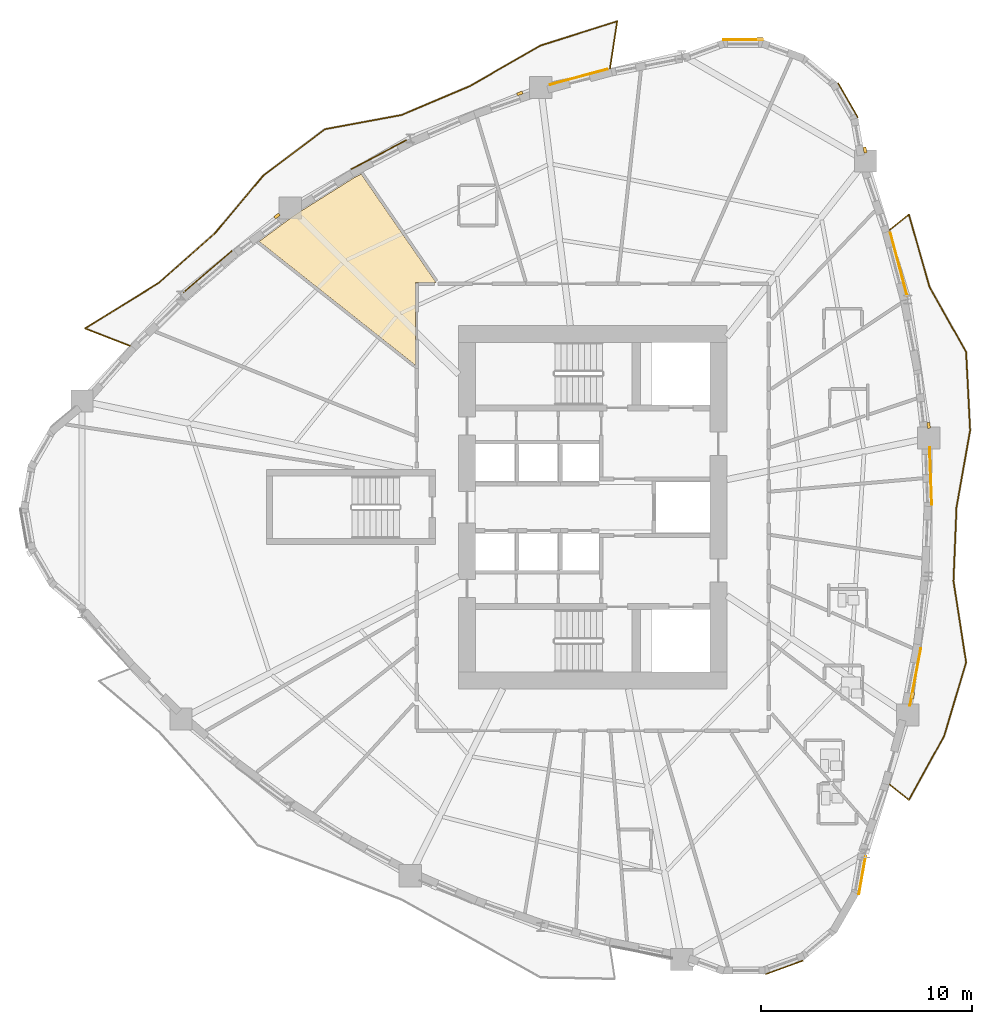
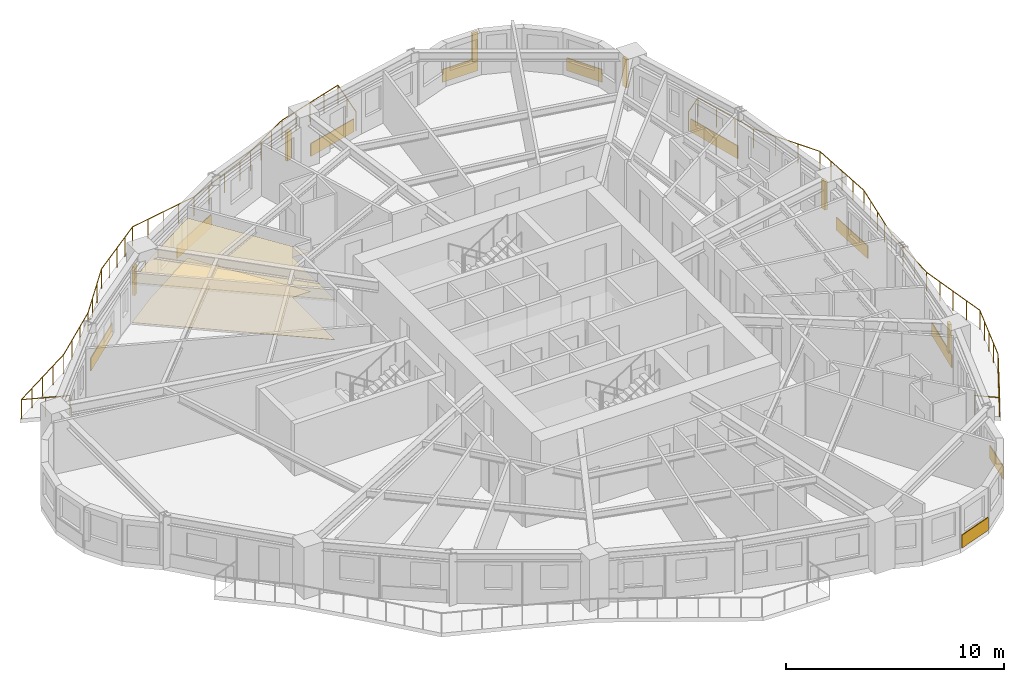
# One storey, part 12 of 13: 12 coverings, 6 shading devices, 2 railings.
"""IFC4 building model written with IfcOpenShell, lengths in metres."""

from ifc_helpers import new_model, si_unit, direction, frame, origin, origin_2d, place, context, subcontext, project, spatial, polyline, rectangle, circle, outline, extrude, source, transform, mapped, material, layer, layer_set, type_object, element, save


model = new_model("IFC4")

# Units and contexts
model_context = context("Model", 3, precision=1e-05, world=origin(), true_north=direction((0.0, 1.0)))
body_context = subcontext(model_context, "Body", "Model", "MODEL_VIEW")
ifc_project = project(units=[si_unit("LENGTHUNIT", "METRE"), si_unit("AREAUNIT", "SQUARE_METRE"), si_unit("VOLUMEUNIT", "CUBIC_METRE"), si_unit("PLANEANGLEUNIT", "RADIAN"), si_unit("MASSUNIT", "GRAM", prefix="KILO")], contexts=[model_context])

# Site, building, storey
site_placement = place(None, origin())
site = spatial("IfcSite", under=ifc_project, at=site_placement, CompositionType="ELEMENT")
building_placement = place(site_placement, origin())
building = spatial("IfcBuilding", under=site, at=building_placement, Name="Qafzar Sky-Pleat Residences", CompositionType="ELEMENT")
storey_placement = place(building_placement, frame((0.0, 0.0, 62.199951171875)))
storey = spatial("IfcBuildingStorey", under=building, at=storey_placement, Name="L18", CompositionType="ELEMENT", Elevation=62.199951171875)

# Coverings
ifc_material_1 = material(Name="Perforated acoustic gypsum board ceiling")
ifc_layer_1 = layer(ifc_material_1, 0.02001953125)
ifc_layer_set_1 = layer_set([ifc_layer_1], Name="Perforated acoustic gypsum board ceiling")
covering_type_1 = type_object("IfcCoveringType", Name="COV-CEIL-ACOUSTIC", PredefinedType="CEILING", material=ifc_layer_set_1)
covering_1_placement = place(storey_placement, frame((0.0, 0.0, 2.239990234375)))
element("IfcCovering", 1, at=covering_1_placement, inside=storey, type_object=covering_type_1, Name="L18 Communal Kitchen Acoustic Ceiling", PredefinedType="CEILING", context=body_context, shape_type="SweptSolid", body=[
    extrude(outline(polyline([(19.01171875, 41.56787109375), (19.388427734375, 41.7666015625), (22.92919921875, 36.639892578125), (21.9599609375, 36.639892578125), (21.9599609375, 32.721435546875), (14.5625, 38.580078125), (16.260986328125, 39.837158203125), (19.01171875, 41.56787109375)])), origin(), (0.0, 0.0, 1.0), 0.02001953125),
])
ifc_material_2 = material(Name="Honed porcelain and Riyadh stone tile flooring", Category="masonry")
ifc_layer_2 = layer(ifc_material_2, 0.02001953125)
ifc_layer_set_2 = layer_set([ifc_layer_2], Name="Honed porcelain and Riyadh stone tile flooring")
covering_type_2 = type_object("IfcCoveringType", Name="COV-FLR-PORCELAIN", PredefinedType="FLOORING", material=ifc_layer_set_2)
covering_2_placement = place(storey_placement, origin())
element("IfcCovering", 2, at=covering_2_placement, inside=storey, type_object=covering_type_2, Name="L18 Communal Kitchen Honed Stone Flooring", PredefinedType="FLOORING", context=body_context, shape_type="SweptSolid", body=[
    extrude(outline(polyline([(19.01171875, 41.56787109375), (19.388427734375, 41.7666015625), (22.92919921875, 36.639892578125), (21.9599609375, 36.639892578125), (21.9599609375, 32.721435546875), (14.5625, 38.580078125), (16.260986328125, 39.837158203125), (19.01171875, 41.56787109375)])), origin(), (0.0, 0.0, 1.0), 0.02001953125),
])

# Shading devices
ifc_material_3 = material(Name="Honed Riyadh limestone solar fin", Category="masonry")
ifc_layer_3 = layer(ifc_material_3, 0.139892578125)
ifc_layer_set_3 = layer_set([ifc_layer_3], Name="Honed Riyadh limestone solar fin")
shading_device_type = type_object("IfcShadingDeviceType", Name="SHD-FIN-STONE", PredefinedType="SHUTTER", material=ifc_layer_set_3)
shared_shape_1 = source(origin(), body_context, "Body", "SweptSolid", [
    extrude(rectangle(XDim=0.139892578125, YDim=0.280029296875, at=origin_2d()), origin(), (0.0, 0.0, 1.0), 1.60009765625),
])
for number, where, z_axis, x_axis, name in (
    (3, (45.49755859375, 17.091796875, 0.60009765625), (0.0, 0.0, 1.0), (0.982424506662, -0.186660356554, 0.0), "L18 Limestone Solar Fin 25"),
    (4, (46.24951171875, 29.873779296875, 0.60009765625), (0.0, 0.0, 1.0), (0.993563996012, 0.113272175877, 0.0), "L18 Limestone Solar Fin 29"),
    (5, (43.23681640625, 42.9091796875, 0.60009765625), (0.0, 0.0, 1.0), (0.984806040716, 0.173657888303, 0.0), "L18 Limestone Solar Fin 33"),
    (6, (38.267578125, 48.16650390625, 0.60009765625), (0.0, 0.0, 1.0), (0.0, 1.0, 0.0), "L18 Limestone Solar Fin 37"),
    (7, (26.897216796875, 45.583251953125, 0.60009765625), (0.0, 0.0, 1.0), (-0.329566646174, 0.944132313677, 0.0), "L18 Limestone Solar Fin 41"),
    (8, (15.4072265625, 39.78369140625, 0.60009765625), (0.0, 0.0, 1.0), (-0.594881001048, 0.803813781042, 0.0), "L18 Limestone Solar Fin 45"),
):
    element("IfcShadingDevice", number, at=place(storey_placement, frame(where, z_axis=z_axis, x_axis=x_axis)), inside=storey, type_object=shading_device_type, Name=name, PredefinedType="SHUTTER", context=body_context, shape_type="MappedRepresentation", body=[
        mapped(shared_shape_1, transform((0.0, 0.0, 0.0), x_axis=(1.0, 0.0, 0.0), y_axis=(0.0, 1.0, 0.0), z_axis=(0.0, 0.0, 1.0), scale=1.0)),
    ])

# Coverings
ifc_material_4 = material(Name="Honed Riyadh Tuwaiq limestone cladding", Category="masonry")
ifc_layer_4 = layer(ifc_material_4, 0.044921875)
ifc_layer_set_4 = layer_set([ifc_layer_4], Name="Honed Riyadh Tuwaiq limestone cladding")
covering_type_3 = type_object("IfcCoveringType", Name="COV-CLAD-STONE", PredefinedType="CLADDING", material=ifc_layer_set_4)
shared_shape_2 = source(origin(), body_context, "Body", "SweptSolid", [
    extrude(rectangle(XDim=1.88134765625, YDim=0.044921875, at=origin_2d()), origin(), (0.0, 0.0, 1.0), 0.719970703125),
])
for number, where, z_axis, x_axis, name in (
    (9, (42.42822265625, 45.25634765625, 0.02001953125), (0.0, 0.0, 1.0), (-0.499972303345, 0.866041393865, 0.0), "L18 Riyadh Limestone Spandrel Cladding 34"),
    (10, (37.46240234375, 48.123291015625, 0.02001953125), (0.0, 0.0, 1.0), (-1.0, 0.0, 0.0), "L18 Riyadh Limestone Spandrel Cladding 37"),
):
    element("IfcCovering", number, at=place(storey_placement, frame(where, z_axis=z_axis, x_axis=x_axis)), inside=storey, type_object=covering_type_3, Name=name, PredefinedType="CLADDING", context=body_context, shape_type="MappedRepresentation", body=[
        mapped(shared_shape_2, transform((0.0, 0.0, 0.0), x_axis=(1.0, 0.0, 0.0), y_axis=(0.0, 1.0, 0.0), z_axis=(0.0, 0.0, 1.0), scale=1.0)),
    ])
shared_shape_3 = source(origin(), body_context, "Body", "SweptSolid", [
    extrude(rectangle(XDim=1.8291015625, YDim=0.044921875, at=origin_2d()), origin(), (0.0, 0.0, 1.0), 0.719970703125),
])
covering_3_placement = place(storey_placement, frame((43.104248046875, 8.586181640625, 0.02001953125), z_axis=(0.0, 0.0, 1.0), x_axis=(0.17364778674, 0.984807821943, 0.0)))
element("IfcCovering", 11, at=covering_3_placement, inside=storey, type_object=covering_type_3, Name="L18 Riyadh Limestone Spandrel Cladding 22", PredefinedType="CLADDING", context=body_context, shape_type="MappedRepresentation", body=[
    mapped(shared_shape_3, transform((0.0, 0.0, 0.0), x_axis=(1.0, 0.0, 0.0), y_axis=(0.0, 1.0, 0.0), z_axis=(0.0, 0.0, 1.0), scale=1.0)),
])
shared_shape_4 = source(origin(), body_context, "Body", "SweptSolid", [
    extrude(rectangle(XDim=1.881103515625, YDim=0.044921875, at=origin_2d()), origin(), (0.0, 0.0, 1.0), 0.719970703125),
])
covering_4_placement = place(storey_placement, frame((39.423583984375, 4.222412109375, 0.02001953125), z_axis=(0.0, 0.0, 1.0), x_axis=(0.939715179222, 0.34195815817, 0.0)))
element("IfcCovering", 12, at=covering_4_placement, inside=storey, type_object=covering_type_3, Name="L18 Riyadh Limestone Spandrel Cladding 19", PredefinedType="CLADDING", context=body_context, shape_type="MappedRepresentation", body=[
    mapped(shared_shape_4, transform((0.0, 0.0, 0.0), x_axis=(1.0, 0.0, 0.0), y_axis=(0.0, 1.0, 0.0), z_axis=(0.0, 0.0, 1.0), scale=1.0)),
])

# Railings
ifc_material_5 = material(Name="Laminated glass and bronze steel balustrade", Category="steel")
railing_type = type_object("IfcRailingType", Name="RAIL-BAL-1100", PredefinedType="BALUSTRADE", material=ifc_material_5)
shared_shape_5 = source(origin(), body_context, "Body", "SweptSolid", [
    extrude(circle(Radius=0.02392578125, at=origin_2d()), frame((0.0, 0.0, 1.076171875), z_axis=(0.78082836269, -0.624745602641, 0.0), x_axis=(0.624745602641, 0.78082836269, 0.0)), (0.0, 0.0, 1.0), 1.177734375),
    extrude(circle(Radius=0.02392578125, at=origin_2d()), frame((0.919677734375, -0.73583984375, 1.076171875), z_axis=(0.482445951113, 0.87592574129, 0.0), x_axis=(-0.87592574129, 0.482445951113, 0.0)), (0.0, 0.0, 1.0), 3.4658203125),
    extrude(circle(Radius=0.02392578125, at=origin_2d()), frame((2.591796875, 2.300048828125, 1.076171875), z_axis=(0.28574875446, 0.958304570231, 0.0), x_axis=(-0.958304570231, 0.28574875446, 0.0)), (0.0, 0.0, 1.0), 3.628662109375),
    extrude(circle(Radius=0.02392578125, at=origin_2d()), frame((3.628662109375, 5.77734375, 1.076171875), z_axis=(-0.153444838689, 0.988157214961, 0.0), x_axis=(-0.988157214961, -0.153444838689, 0.0)), (0.0, 0.0, 1.0), 3.899658203125),
    extrude(circle(Radius=0.02392578125, at=origin_2d()), frame((3.0302734375, 9.630859375, 1.076171875), z_axis=(0.041048799191, 0.999157142838, 0.0), x_axis=(-0.999157142838, 0.041048799191, 0.0)), (0.0, 0.0, 1.0), 3.4912109375),
    extrude(circle(Radius=0.02392578125, at=origin_2d()), frame((3.173583984375, 13.119140625, 1.076171875), z_axis=(0.174775106939, 0.984608380014, 0.0), x_axis=(-0.984608380014, 0.174775106939, 0.0)), (0.0, 0.0, 1.0), 3.686279296875),
    extrude(circle(Radius=0.02392578125, at=origin_2d()), frame((3.81787109375, 16.748779296875, 1.076171875), z_axis=(-0.050903995541, 0.998703551229, 0.0), x_axis=(-0.998703551229, -0.050903995541, 0.0)), (0.0, 0.0, 1.0), 3.717041015625),
    extrude(circle(Radius=0.02392578125, at=origin_2d()), frame((3.628662109375, 20.4609375, 1.076171875), z_axis=(-0.490064464724, 0.871686193773, 0.0), x_axis=(-0.871686193773, -0.490064464724, 0.0)), (0.0, 0.0, 1.0), 3.53466796875),
    extrude(circle(Radius=0.02392578125, at=origin_2d()), frame((1.896484375, 23.5419921875, 1.076171875), z_axis=(-0.273736038503, 0.961804856104, 0.0), x_axis=(-0.961804856104, -0.273736038503, 0.0)), (0.0, 0.0, 1.0), 3.568359375),
    extrude(circle(Radius=0.02392578125, at=origin_2d()), frame((0.919677734375, 26.97412109375, 1.076171875), z_axis=(-0.78082836269, -0.624745602641, 0.0), x_axis=(0.624745602641, -0.78082836269, 0.0)), (0.0, 0.0, 1.0), 1.177734375),
    extrude(circle(Radius=0.02099609375, at=origin_2d()), origin(), (0.0, 0.0, 1.0), 1.052001953125),
    extrude(circle(Radius=0.02099609375, at=origin_2d()), frame((0.919677734375, -0.73583984375, 0.0)), (0.0, 0.0, 1.0), 1.052001953125),
    extrude(circle(Radius=0.02099609375, at=origin_2d()), frame((1.47705078125, 0.276123046875, 0.0)), (0.0, 0.0, 1.0), 1.052001953125),
    extrude(circle(Radius=0.02099609375, at=origin_2d()), frame((2.034423828125, 1.2880859375, 0.0)), (0.0, 0.0, 1.0), 1.052001953125),
    extrude(circle(Radius=0.02099609375, at=origin_2d()), frame((2.591796875, 2.300048828125, 0.0)), (0.0, 0.0, 1.0), 1.052001953125),
    extrude(circle(Radius=0.02099609375, at=origin_2d()), frame((2.85107421875, 3.16943359375, 0.0)), (0.0, 0.0, 1.0), 1.052001953125),
    extrude(circle(Radius=0.02099609375, at=origin_2d()), frame((3.1103515625, 4.03857421875, 0.0)), (0.0, 0.0, 1.0), 1.052001953125),
    extrude(circle(Radius=0.02099609375, at=origin_2d()), frame((3.369384765625, 4.907958984375, 0.0)), (0.0, 0.0, 1.0), 1.052001953125),
    extrude(circle(Radius=0.02099609375, at=origin_2d()), frame((3.628662109375, 5.77734375, 0.0)), (0.0, 0.0, 1.0), 1.052001953125),
    extrude(circle(Radius=0.02099609375, at=origin_2d()), frame((3.47900390625, 6.74072265625, 0.0)), (0.0, 0.0, 1.0), 1.052001953125),
    extrude(circle(Radius=0.02099609375, at=origin_2d()), frame((3.32958984375, 7.7041015625, 0.0)), (0.0, 0.0, 1.0), 1.052001953125),
    extrude(circle(Radius=0.02099609375, at=origin_2d()), frame((3.179931640625, 8.66748046875, 0.0)), (0.0, 0.0, 1.0), 1.052001953125),
    extrude(circle(Radius=0.02099609375, at=origin_2d()), frame((3.0302734375, 9.630859375, 0.0)), (0.0, 0.0, 1.0), 1.052001953125),
    extrude(circle(Radius=0.02099609375, at=origin_2d()), frame((3.078125, 10.793701171875, 0.0)), (0.0, 0.0, 1.0), 1.052001953125),
    extrude(circle(Radius=0.02099609375, at=origin_2d()), frame((3.125732421875, 11.956298828125, 0.0)), (0.0, 0.0, 1.0), 1.052001953125),
    extrude(circle(Radius=0.02099609375, at=origin_2d()), frame((3.173583984375, 13.119140625, 0.0)), (0.0, 0.0, 1.0), 1.052001953125),
    extrude(circle(Radius=0.02099609375, at=origin_2d()), frame((3.334716796875, 14.026611328125, 0.0)), (0.0, 0.0, 1.0), 1.052001953125),
    extrude(circle(Radius=0.02099609375, at=origin_2d()), frame((3.49560546875, 14.93408203125, 0.0)), (0.0, 0.0, 1.0), 1.052001953125),
    extrude(circle(Radius=0.02099609375, at=origin_2d()), frame((3.65673828125, 15.84130859375, 0.0)), (0.0, 0.0, 1.0), 1.052001953125),
    extrude(circle(Radius=0.02099609375, at=origin_2d()), frame((3.81787109375, 16.748779296875, 0.0)), (0.0, 0.0, 1.0), 1.052001953125),
    extrude(circle(Radius=0.02099609375, at=origin_2d()), frame((3.7705078125, 17.6767578125, 0.0)), (0.0, 0.0, 1.0), 1.052001953125),
    extrude(circle(Radius=0.02099609375, at=origin_2d()), frame((3.72314453125, 18.60498046875, 0.0)), (0.0, 0.0, 1.0), 1.052001953125),
    extrude(circle(Radius=0.02099609375, at=origin_2d()), frame((3.676025390625, 19.532958984375, 0.0)), (0.0, 0.0, 1.0), 1.052001953125),
    extrude(circle(Radius=0.02099609375, at=origin_2d()), frame((3.628662109375, 20.4609375, 0.0)), (0.0, 0.0, 1.0), 1.052001953125),
    extrude(circle(Radius=0.02099609375, at=origin_2d()), frame((3.05126953125, 21.488037109375, 0.0)), (0.0, 0.0, 1.0), 1.052001953125),
    extrude(circle(Radius=0.02099609375, at=origin_2d()), frame((2.473876953125, 22.514892578125, 0.0)), (0.0, 0.0, 1.0), 1.052001953125),
    extrude(circle(Radius=0.02099609375, at=origin_2d()), frame((1.896484375, 23.5419921875, 0.0)), (0.0, 0.0, 1.0), 1.052001953125),
    extrude(circle(Radius=0.02099609375, at=origin_2d()), frame((1.57080078125, 24.68603515625, 0.0)), (0.0, 0.0, 1.0), 1.052001953125),
    extrude(circle(Radius=0.02099609375, at=origin_2d()), frame((1.245361328125, 25.830078125, 0.0)), (0.0, 0.0, 1.0), 1.052001953125),
    extrude(circle(Radius=0.02099609375, at=origin_2d()), frame((0.919677734375, 26.97412109375, 0.0)), (0.0, 0.0, 1.0), 1.052001953125),
    extrude(circle(Radius=0.02099609375, at=origin_2d()), frame((0.0, 26.23828125, 0.0)), (0.0, 0.0, 1.0), 1.052001953125),
])
railing_1_placement = place(storey_placement, frame((44.392822265625, 12.880859375, 0.0)))
element("IfcRailing", 13, at=railing_1_placement, inside=storey, type_object=railing_type, Name="L18 Pleated Balcony 1 Balustrade", PredefinedType="BALUSTRADE", context=body_context, shape_type="MappedRepresentation", body=[
    mapped(shared_shape_5, transform((0.0, 0.0, 0.0), x_axis=(1.0, 0.0, 0.0), y_axis=(0.0, 1.0, 0.0), z_axis=(0.0, 0.0, 1.0), scale=1.0)),
])
shared_shape_6 = source(origin(), body_context, "Body", "SweptSolid", [
    extrude(circle(Radius=0.02392578125, at=origin_2d()), frame((0.0, 0.0, 1.076171875), z_axis=(0.150732099633, 0.988574647733, 0.0), x_axis=(-0.988574647733, 0.150732099633, 0.0)), (0.0, 0.0, 1.0), 2.270751953125),
    extrude(circle(Radius=0.02392578125, at=origin_2d()), frame((0.34228515625, 2.244873046875, 1.076171875), z_axis=(-0.953259465773, -0.30215292637, 0.0), x_axis=(0.30215292637, -0.953259465773, 0.0)), (0.0, 0.0, 1.0), 3.80810546875),
    extrude(circle(Radius=0.02392578125, at=origin_2d()), frame((-3.287841796875, 1.09423828125, 1.076171875), z_axis=(-0.867434909389, -0.497550678799, 0.0), x_axis=(0.497550678799, -0.867434909389, 0.0)), (0.0, 0.0, 1.0), 3.853271484375),
    extrude(circle(Radius=0.02392578125, at=origin_2d()), frame((-6.63037109375, -0.822998046875, 1.076171875), z_axis=(-0.920598483559, -0.39051047626, 0.0), x_axis=(0.39051047626, -0.920598483559, 0.0)), (0.0, 0.0, 1.0), 3.50341796875),
    extrude(circle(Radius=0.02392578125, at=origin_2d()), frame((-9.855712890625, -2.191162109375, 1.076171875), z_axis=(-0.983284192251, -0.182077448548, 0.0), x_axis=(0.182077448548, -0.983284192251, 0.0)), (0.0, 0.0, 1.0), 3.70068359375),
    extrude(circle(Radius=0.02392578125, at=origin_2d()), frame((-13.49462890625, -2.864990234375, 1.076171875), z_axis=(-0.798161897341, -0.602443014427, 0.0), x_axis=(0.602443014427, -0.798161897341, 0.0)), (0.0, 0.0, 1.0), 3.657470703125),
    extrude(circle(Radius=0.02392578125, at=origin_2d()), frame((-16.413818359375, -5.068359375, 1.076171875), z_axis=(-0.642575797394, -0.766222124846, 0.0), x_axis=(0.766222124846, -0.642575797394, 0.0)), (0.0, 0.0, 1.0), 3.550048828125),
    extrude(circle(Radius=0.02392578125, at=origin_2d()), frame((-18.695068359375, -7.78857421875, 1.076171875), z_axis=(-0.748473372948, -0.663164843752, 0.0), x_axis=(0.663164843752, -0.748473372948, 0.0)), (0.0, 0.0, 1.0), 3.528564453125),
    extrude(circle(Radius=0.02392578125, at=origin_2d()), frame((-21.336181640625, -10.128662109375, 1.076171875), z_axis=(-0.850626396128, -0.525770609877, 0.0), x_axis=(0.525770609877, -0.850626396128, 0.0)), (0.0, 0.0, 1.0), 4.116943359375),
    extrude(circle(Radius=0.02392578125, at=origin_2d()), frame((-24.838134765625, -12.293212890625, 1.076171875), z_axis=(0.931493217147, -0.363758692555, 0.0), x_axis=(0.363758692555, 0.931493217147, 0.0)), (0.0, 0.0, 1.0), 2.2705078125),
    extrude(circle(Radius=0.02099609375, at=origin_2d()), origin(), (0.0, 0.0, 1.0), 1.052001953125),
    extrude(circle(Radius=0.02099609375, at=origin_2d()), frame((0.171142578125, 1.12255859375, 0.0)), (0.0, 0.0, 1.0), 1.052001953125),
    extrude(circle(Radius=0.02099609375, at=origin_2d()), frame((0.34228515625, 2.244873046875, 0.0)), (0.0, 0.0, 1.0), 1.052001953125),
    extrude(circle(Radius=0.02099609375, at=origin_2d()), frame((-0.565185546875, 1.957275390625, 0.0)), (0.0, 0.0, 1.0), 1.052001953125),
    extrude(circle(Radius=0.02099609375, at=origin_2d()), frame((-1.47265625, 1.66943359375, 0.0)), (0.0, 0.0, 1.0), 1.052001953125),
    extrude(circle(Radius=0.02099609375, at=origin_2d()), frame((-2.38037109375, 1.3818359375, 0.0)), (0.0, 0.0, 1.0), 1.052001953125),
    extrude(circle(Radius=0.02099609375, at=origin_2d()), frame((-3.287841796875, 1.09423828125, 0.0)), (0.0, 0.0, 1.0), 1.052001953125),
    extrude(circle(Radius=0.02099609375, at=origin_2d()), frame((-4.12353515625, 0.614990234375, 0.0)), (0.0, 0.0, 1.0), 1.052001953125),
    extrude(circle(Radius=0.02099609375, at=origin_2d()), frame((-4.958984375, 0.1357421875, 0.0)), (0.0, 0.0, 1.0), 1.052001953125),
    extrude(circle(Radius=0.02099609375, at=origin_2d()), frame((-5.794677734375, -0.34375, 0.0)), (0.0, 0.0, 1.0), 1.052001953125),
    extrude(circle(Radius=0.02099609375, at=origin_2d()), frame((-6.63037109375, -0.822998046875, 0.0)), (0.0, 0.0, 1.0), 1.052001953125),
    extrude(circle(Radius=0.02099609375, at=origin_2d()), frame((-7.70556640625, -1.279052734375, 0.0)), (0.0, 0.0, 1.0), 1.052001953125),
    extrude(circle(Radius=0.02099609375, at=origin_2d()), frame((-8.780517578125, -1.735107421875, 0.0)), (0.0, 0.0, 1.0), 1.052001953125),
    extrude(circle(Radius=0.02099609375, at=origin_2d()), frame((-9.855712890625, -2.191162109375, 0.0)), (0.0, 0.0, 1.0), 1.052001953125),
    extrude(circle(Radius=0.02099609375, at=origin_2d()), frame((-10.765380859375, -2.359619140625, 0.0)), (0.0, 0.0, 1.0), 1.052001953125),
    extrude(circle(Radius=0.02099609375, at=origin_2d()), frame((-11.67529296875, -2.528076171875, 0.0)), (0.0, 0.0, 1.0), 1.052001953125),
    extrude(circle(Radius=0.02099609375, at=origin_2d()), frame((-12.5849609375, -2.696533203125, 0.0)), (0.0, 0.0, 1.0), 1.052001953125),
    extrude(circle(Radius=0.02099609375, at=origin_2d()), frame((-13.49462890625, -2.864990234375, 0.0)), (0.0, 0.0, 1.0), 1.052001953125),
    extrude(circle(Radius=0.02099609375, at=origin_2d()), frame((-14.224365234375, -3.415771484375, 0.0)), (0.0, 0.0, 1.0), 1.052001953125),
    extrude(circle(Radius=0.02099609375, at=origin_2d()), frame((-14.9541015625, -3.966796875, 0.0)), (0.0, 0.0, 1.0), 1.052001953125),
    extrude(circle(Radius=0.02099609375, at=origin_2d()), frame((-15.68408203125, -4.517578125, 0.0)), (0.0, 0.0, 1.0), 1.052001953125),
    extrude(circle(Radius=0.02099609375, at=origin_2d()), frame((-16.413818359375, -5.068359375, 0.0)), (0.0, 0.0, 1.0), 1.052001953125),
    extrude(circle(Radius=0.02099609375, at=origin_2d()), frame((-17.17431640625, -5.97509765625, 0.0)), (0.0, 0.0, 1.0), 1.052001953125),
    extrude(circle(Radius=0.02099609375, at=origin_2d()), frame((-17.9345703125, -6.8818359375, 0.0)), (0.0, 0.0, 1.0), 1.052001953125),
    extrude(circle(Radius=0.02099609375, at=origin_2d()), frame((-18.695068359375, -7.78857421875, 0.0)), (0.0, 0.0, 1.0), 1.052001953125),
    extrude(circle(Radius=0.02099609375, at=origin_2d()), frame((-19.575439453125, -8.568603515625, 0.0)), (0.0, 0.0, 1.0), 1.052001953125),
    extrude(circle(Radius=0.02099609375, at=origin_2d()), frame((-20.455810546875, -9.3486328125, 0.0)), (0.0, 0.0, 1.0), 1.052001953125),
    extrude(circle(Radius=0.02099609375, at=origin_2d()), frame((-21.336181640625, -10.128662109375, 0.0)), (0.0, 0.0, 1.0), 1.052001953125),
    extrude(circle(Radius=0.02099609375, at=origin_2d()), frame((-22.211669921875, -10.669921875, 0.0)), (0.0, 0.0, 1.0), 1.052001953125),
    extrude(circle(Radius=0.02099609375, at=origin_2d()), frame((-23.087158203125, -11.2109375, 0.0)), (0.0, 0.0, 1.0), 1.052001953125),
    extrude(circle(Radius=0.02099609375, at=origin_2d()), frame((-23.962646484375, -11.751953125, 0.0)), (0.0, 0.0, 1.0), 1.052001953125),
    extrude(circle(Radius=0.02099609375, at=origin_2d()), frame((-24.838134765625, -12.293212890625, 0.0)), (0.0, 0.0, 1.0), 1.052001953125),
    extrude(circle(Radius=0.02099609375, at=origin_2d()), frame((-23.78076171875, -12.7060546875, 0.0)), (0.0, 0.0, 1.0), 1.052001953125),
    extrude(circle(Radius=0.02099609375, at=origin_2d()), frame((-22.72314453125, -13.119140625, 0.0)), (0.0, 0.0, 1.0), 1.052001953125),
])
railing_2_placement = place(storey_placement, frame((31.1650390625, 46.75634765625, 0.0)))
element("IfcRailing", 14, at=railing_2_placement, inside=storey, type_object=railing_type, Name="L18 Pleated Balcony 2 Balustrade", PredefinedType="BALUSTRADE", context=body_context, shape_type="MappedRepresentation", body=[
    mapped(shared_shape_6, transform((0.0, 0.0, 0.0), x_axis=(1.0, 0.0, 0.0), y_axis=(0.0, 1.0, 0.0), z_axis=(0.0, 0.0, 1.0), scale=1.0)),
])

# Coverings
shared_shape_7 = source(origin(), body_context, "Body", "SweptSolid", [
    extrude(rectangle(XDim=2.76708984375, YDim=0.044921875, at=origin_2d()), origin(), (0.0, 0.0, 1.0), 0.719970703125),
])
covering_5_placement = place(storey_placement, frame((45.6201171875, 17.96728515625, 0.02001953125), z_axis=(0.0, 0.0, 1.0), x_axis=(0.186662215428, 0.982424153475, 0.0)))
element("IfcCovering", 15, at=covering_5_placement, inside=storey, type_object=covering_type_3, Name="L18 Riyadh Limestone Spandrel Cladding 25", PredefinedType="CLADDING", context=body_context, shape_type="MappedRepresentation", body=[
    mapped(shared_shape_7, transform((0.0, 0.0, 0.0), x_axis=(1.0, 0.0, 0.0), y_axis=(0.0, 1.0, 0.0), z_axis=(0.0, 0.0, 1.0), scale=1.0)),
])
shared_shape_8 = source(origin(), body_context, "Body", "SweptSolid", [
    extrude(rectangle(XDim=2.71630859375, YDim=0.044921875, at=origin_2d()), origin(), (0.0, 0.0, 1.0), 0.719970703125),
])
covering_6_placement = place(storey_placement, frame((46.3427734375, 27.470947265625, 0.02001953125), z_axis=(0.0, 0.0, 1.0), x_axis=(-0.037968689793, 0.999278929326, 0.0)))
element("IfcCovering", 16, at=covering_6_placement, inside=storey, type_object=covering_type_3, Name="L18 Riyadh Limestone Spandrel Cladding 28", PredefinedType="CLADDING", context=body_context, shape_type="MappedRepresentation", body=[
    mapped(shared_shape_8, transform((0.0, 0.0, 0.0), x_axis=(1.0, 0.0, 0.0), y_axis=(0.0, 1.0, 0.0), z_axis=(0.0, 0.0, 1.0), scale=1.0)),
])
shared_shape_9 = source(origin(), body_context, "Body", "SweptSolid", [
    extrude(rectangle(XDim=3.06884765625, YDim=0.044921875, at=origin_2d()), origin(), (0.0, 0.0, 1.0), 0.719970703125),
])
covering_7_placement = place(storey_placement, frame((44.833251953125, 37.50634765625, 0.02001953125), z_axis=(0.0, 0.0, 1.0), x_axis=(-0.257074858868, 0.966391492584, 0.0)))
element("IfcCovering", 17, at=covering_7_placement, inside=storey, type_object=covering_type_3, Name="L18 Riyadh Limestone Spandrel Cladding 31", PredefinedType="CLADDING", context=body_context, shape_type="MappedRepresentation", body=[
    mapped(shared_shape_9, transform((0.0, 0.0, 0.0), x_axis=(1.0, 0.0, 0.0), y_axis=(0.0, 1.0, 0.0), z_axis=(0.0, 0.0, 1.0), scale=1.0)),
])
shared_shape_10 = source(origin(), body_context, "Body", "SweptSolid", [
    extrude(rectangle(XDim=2.81689453125, YDim=0.044921875, at=origin_2d()), origin(), (0.0, 0.0, 1.0), 0.719970703125),
])
covering_8_placement = place(storey_placement, frame((29.683349609375, 46.36767578125, 0.02001953125), z_axis=(0.0, 0.0, 1.0), x_axis=(-0.965452073914, -0.260580684195, 0.0)))
element("IfcCovering", 18, at=covering_8_placement, inside=storey, type_object=covering_type_3, Name="L18 Riyadh Limestone Spandrel Cladding 40", PredefinedType="CLADDING", context=body_context, shape_type="MappedRepresentation", body=[
    mapped(shared_shape_10, transform((0.0, 0.0, 0.0), x_axis=(1.0, 0.0, 0.0), y_axis=(0.0, 1.0, 0.0), z_axis=(0.0, 0.0, 1.0), scale=1.0)),
])
shared_shape_11 = source(origin(), body_context, "Body", "SweptSolid", [
    extrude(rectangle(XDim=2.968505859375, YDim=0.044921875, at=origin_2d()), origin(), (0.0, 0.0, 1.0), 0.719970703125),
])
covering_9_placement = place(storey_placement, frame((20.226318359375, 42.68603515625, 0.02001953125), z_axis=(0.0, 0.0, 1.0), x_axis=(-0.884388229284, -0.466752032566, 0.0)))
element("IfcCovering", 19, at=covering_9_placement, inside=storey, type_object=covering_type_3, Name="L18 Riyadh Limestone Spandrel Cladding 43", PredefinedType="CLADDING", context=body_context, shape_type="MappedRepresentation", body=[
    mapped(shared_shape_11, transform((0.0, 0.0, 0.0), x_axis=(1.0, 0.0, 0.0), y_axis=(0.0, 1.0, 0.0), z_axis=(0.0, 0.0, 1.0), scale=1.0)),
])
shared_shape_12 = source(origin(), body_context, "Body", "SweptSolid", [
    extrude(rectangle(XDim=3.01904296875, YDim=0.044921875, at=origin_2d()), origin(), (0.0, 0.0, 1.0), 0.719970703125),
])
covering_10_placement = place(storey_placement, frame((12.127197265625, 37.151611328125, 0.02001953125), z_axis=(0.0, 0.0, 1.0), x_axis=(-0.757486211269, -0.65285116201, 0.0)))
element("IfcCovering", 20, at=covering_10_placement, inside=storey, type_object=covering_type_3, Name="L18 Riyadh Limestone Spandrel Cladding 46", PredefinedType="CLADDING", context=body_context, shape_type="MappedRepresentation", body=[
    mapped(shared_shape_12, transform((0.0, 0.0, 0.0), x_axis=(1.0, 0.0, 0.0), y_axis=(0.0, 1.0, 0.0), z_axis=(0.0, 0.0, 1.0), scale=1.0)),
])

save(model, "model.ifc")
